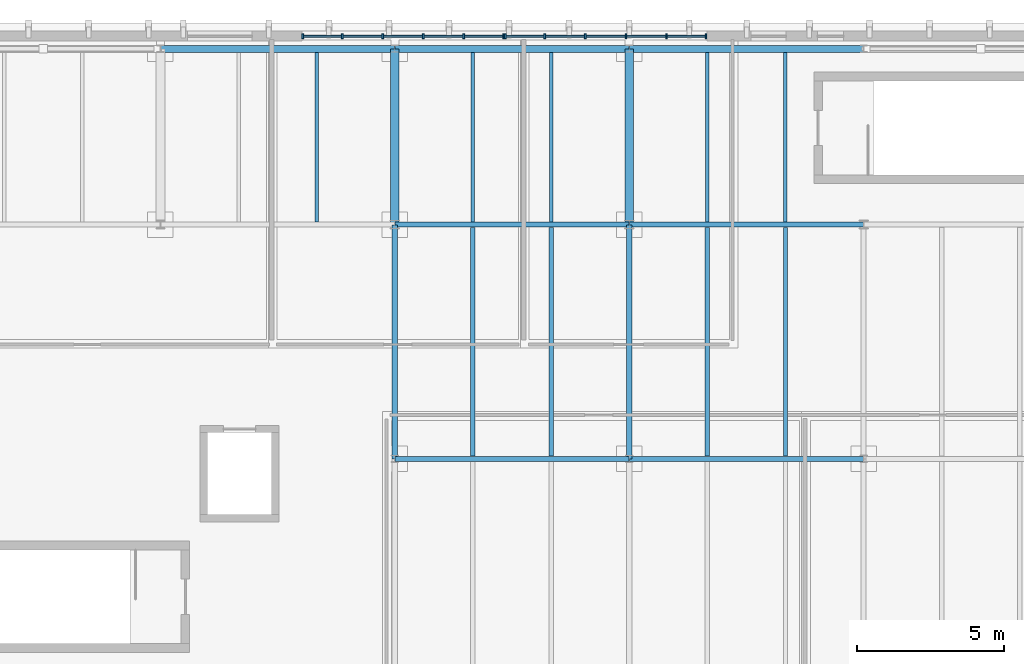
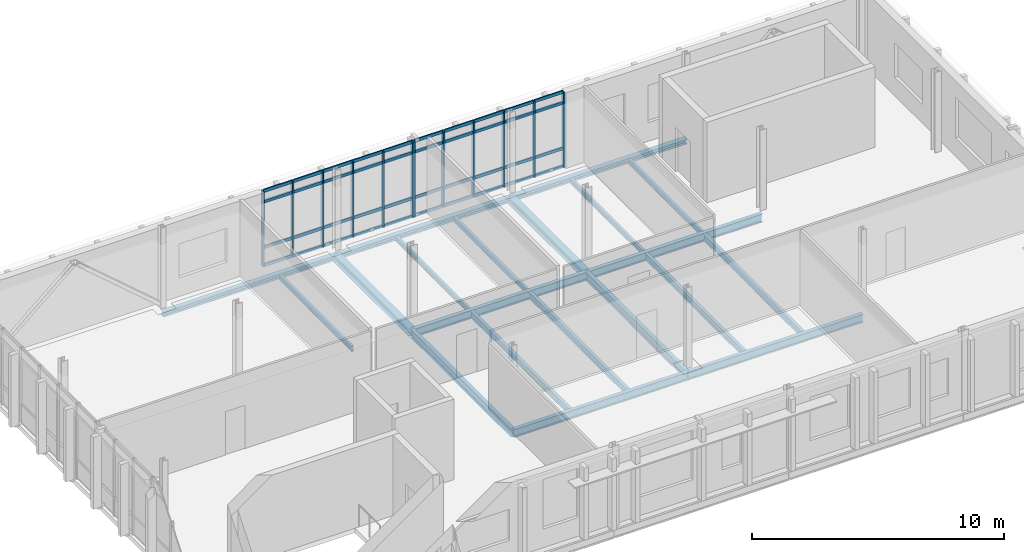
# One storey, part 15 of 40: 52 members, 20 beams, 2 elements without a shape of their own.
"""IFC4 building model written with IfcOpenShell, lengths in metres."""

from ifc_helpers import new_model, si_unit, direction, frame, origin, origin_2d, place, context, subcontext, project, spatial, rectangle, i_section, extrude, material, material_profile, profile_set, type_object, element, aggregate, save


model = new_model("IFC4")

# Units and contexts
model_context = context("Model", 3, precision=1e-05, world=origin(), true_north=direction((0.0, 1.0)))
body_context = subcontext(model_context, "Body", "Model", "MODEL_VIEW")
ifc_project = project(units=[si_unit("LENGTHUNIT", "METRE"), si_unit("AREAUNIT", "SQUARE_METRE"), si_unit("VOLUMEUNIT", "CUBIC_METRE"), si_unit("PLANEANGLEUNIT", "RADIAN"), si_unit("MASSUNIT", "GRAM", prefix="KILO")], contexts=[model_context])

# Site, building, storey
site_placement = place(None, origin())
site = spatial("IfcSite", under=ifc_project, at=site_placement, CompositionType="ELEMENT")
building_placement = place(site_placement, origin())
building = spatial("IfcBuilding", under=site, at=building_placement, Name="Cymarion Research Institute", CompositionType="ELEMENT")
storey_placement = place(building_placement, frame((0.0, 0.0, 26.699951171875)))
storey = spatial("IfcBuildingStorey", under=building, at=storey_placement, Name="L06", CompositionType="ELEMENT", Elevation=26.699951171875)

# Curtain wall, members
ifc_material_1 = material(Name="Anodised aluminium unitised curtain wall with Low-E glazing", Category="aluminium")
curtain_wall_type = type_object("IfcCurtainWallType", Name="UNITISED CURTAIN WALL CW64 6910X3660", PredefinedType="NOTDEFINED", material=ifc_material_1)
curtain_wall_1_placement = place(storey_placement, origin())
curtain_wall_1 = element("IfcCurtainWall", 1, at=curtain_wall_1_placement, inside=storey, type_object=curtain_wall_type, Name="L06 V5 unitised curtain wall CW64 #225", PredefinedType="NOTDEFINED")
ifc_material_2 = material(Name="Anodised aluminium framing", Category="aluminium")
ifc_material_profile_1 = material_profile(ifc_material_2, rectangle(XDim=0.06005859375, YDim=0.179931640625, at=origin_2d()), Name="ALU MULLION 60x180")
ifc_profile_set_1 = profile_set([ifc_material_profile_1], Name="Anodised aluminium framing")
member_type_1 = type_object("IfcMemberType", Name="CURTAIN WALL MULLION ML01 60X180", PredefinedType="MULLION", material=ifc_profile_set_1)
member_1_placement = place(storey_placement, frame((33.221923828125, 115.929931640625, 0.0), z_axis=(0.0, 0.0, 1.0), x_axis=(-1.0, 0.0, 0.0)))
member_1 = element("IfcMember", 2, at=member_1_placement, type_object=member_type_1, Name="CW64 mullion 1", PredefinedType="MULLION", context=body_context, shape_type="SweptSolid", body=[
    extrude(rectangle(XDim=0.06005859375, YDim=0.179931640625, at=origin_2d()), origin(), (0.0, 0.0, 1.0), 3.66015625),
])
member_2_placement = place(storey_placement, frame((31.869384765625, 115.929931640625, 0.0), z_axis=(0.0, 0.0, 1.0), x_axis=(-1.0, 0.0, 0.0)))
member_2 = element("IfcMember", 3, at=member_2_placement, type_object=member_type_1, Name="CW64 mullion 2", PredefinedType="MULLION", context=body_context, shape_type="SweptSolid", body=[
    extrude(rectangle(XDim=0.06005859375, YDim=0.179931640625, at=origin_2d()), origin(), (0.0, 0.0, 1.0), 3.66015625),
])
member_3_placement = place(storey_placement, frame((30.48681640625, 115.929931640625, 0.0), z_axis=(0.0, 0.0, 1.0), x_axis=(-1.0, 0.0, 0.0)))
member_3 = element("IfcMember", 4, at=member_3_placement, type_object=member_type_1, Name="CW64 mullion 3", PredefinedType="MULLION", context=body_context, shape_type="SweptSolid", body=[
    extrude(rectangle(XDim=0.06005859375, YDim=0.179931640625, at=origin_2d()), origin(), (0.0, 0.0, 1.0), 3.66015625),
])
member_4_placement = place(storey_placement, frame((29.104248046875, 115.929931640625, 0.0), z_axis=(0.0, 0.0, 1.0), x_axis=(-1.0, 0.0, 0.0)))
member_4 = element("IfcMember", 5, at=member_4_placement, type_object=member_type_1, Name="CW64 mullion 4", PredefinedType="MULLION", context=body_context, shape_type="SweptSolid", body=[
    extrude(rectangle(XDim=0.06005859375, YDim=0.179931640625, at=origin_2d()), origin(), (0.0, 0.0, 1.0), 3.66015625),
])
member_5_placement = place(storey_placement, frame((27.7216796875, 115.929931640625, 0.0), z_axis=(0.0, 0.0, 1.0), x_axis=(-1.0, 0.0, 0.0)))
member_5 = element("IfcMember", 6, at=member_5_placement, type_object=member_type_1, Name="CW64 mullion 5", PredefinedType="MULLION", context=body_context, shape_type="SweptSolid", body=[
    extrude(rectangle(XDim=0.06005859375, YDim=0.179931640625, at=origin_2d()), origin(), (0.0, 0.0, 1.0), 3.66015625),
])
member_6_placement = place(storey_placement, frame((26.368896484375, 115.929931640625, 0.0), z_axis=(0.0, 0.0, 1.0), x_axis=(-1.0, 0.0, 0.0)))
member_6 = element("IfcMember", 7, at=member_6_placement, type_object=member_type_1, Name="CW64 mullion 6", PredefinedType="MULLION", context=body_context, shape_type="SweptSolid", body=[
    extrude(rectangle(XDim=0.06005859375, YDim=0.179931640625, at=origin_2d()), origin(), (0.0, 0.0, 1.0), 3.66015625),
])

curtain_wall_2_placement = place(storey_placement, origin())
curtain_wall_2 = element("IfcCurtainWall", 8, at=curtain_wall_2_placement, inside=storey, type_object=curtain_wall_type, Name="L06 V5 unitised curtain wall CW64 #226", PredefinedType="NOTDEFINED")
member_7_placement = place(storey_placement, frame((26.30908203125, 115.929931640625, 0.0), z_axis=(0.0, 0.0, 1.0), x_axis=(-1.0, 0.0, 0.0)))
member_7 = element("IfcMember", 9, at=member_7_placement, type_object=member_type_1, Name="CW64 mullion 1", PredefinedType="MULLION", context=body_context, shape_type="SweptSolid", body=[
    extrude(rectangle(XDim=0.06005859375, YDim=0.179931640625, at=origin_2d()), origin(), (0.0, 0.0, 1.0), 3.66015625),
])
member_8_placement = place(storey_placement, frame((24.956298828125, 115.929931640625, 0.0), z_axis=(0.0, 0.0, 1.0), x_axis=(-1.0, 0.0, 0.0)))
member_8 = element("IfcMember", 10, at=member_8_placement, type_object=member_type_1, Name="CW64 mullion 2", PredefinedType="MULLION", context=body_context, shape_type="SweptSolid", body=[
    extrude(rectangle(XDim=0.06005859375, YDim=0.179931640625, at=origin_2d()), origin(), (0.0, 0.0, 1.0), 3.66015625),
])
member_9_placement = place(storey_placement, frame((23.57373046875, 115.929931640625, 0.0), z_axis=(0.0, 0.0, 1.0), x_axis=(-1.0, 0.0, 0.0)))
member_9 = element("IfcMember", 11, at=member_9_placement, type_object=member_type_1, Name="CW64 mullion 3", PredefinedType="MULLION", context=body_context, shape_type="SweptSolid", body=[
    extrude(rectangle(XDim=0.06005859375, YDim=0.179931640625, at=origin_2d()), origin(), (0.0, 0.0, 1.0), 3.66015625),
])
member_10_placement = place(storey_placement, frame((22.191162109375, 115.929931640625, 0.0), z_axis=(0.0, 0.0, 1.0), x_axis=(-1.0, 0.0, 0.0)))
member_10 = element("IfcMember", 12, at=member_10_placement, type_object=member_type_1, Name="CW64 mullion 4", PredefinedType="MULLION", context=body_context, shape_type="SweptSolid", body=[
    extrude(rectangle(XDim=0.06005859375, YDim=0.179931640625, at=origin_2d()), origin(), (0.0, 0.0, 1.0), 3.66015625),
])
member_11_placement = place(storey_placement, frame((20.80859375, 115.929931640625, 0.0), z_axis=(0.0, 0.0, 1.0), x_axis=(-1.0, 0.0, 0.0)))
member_11 = element("IfcMember", 13, at=member_11_placement, type_object=member_type_1, Name="CW64 mullion 5", PredefinedType="MULLION", context=body_context, shape_type="SweptSolid", body=[
    extrude(rectangle(XDim=0.06005859375, YDim=0.179931640625, at=origin_2d()), origin(), (0.0, 0.0, 1.0), 3.66015625),
])
member_12_placement = place(storey_placement, frame((19.4560546875, 115.929931640625, 0.0), z_axis=(0.0, 0.0, 1.0), x_axis=(-1.0, 0.0, 0.0)))
member_12 = element("IfcMember", 14, at=member_12_placement, type_object=member_type_1, Name="CW64 mullion 6", PredefinedType="MULLION", context=body_context, shape_type="SweptSolid", body=[
    extrude(rectangle(XDim=0.06005859375, YDim=0.179931640625, at=origin_2d()), origin(), (0.0, 0.0, 1.0), 3.66015625),
])

# Member
ifc_material_profile_2 = material_profile(ifc_material_2, rectangle(XDim=0.06005859375, YDim=0.14990234375, at=origin_2d()), Name="ALU TRANSOM 60x150")
ifc_profile_set_2 = profile_set([ifc_material_profile_2], Name="Anodised aluminium framing")
member_type_2 = type_object("IfcMemberType", Name="CURTAIN WALL TRANSOM TR01 60X150", PredefinedType="USERDEFINED", material=ifc_profile_set_2)
member_13_placement = place(storey_placement, frame((33.19189453125, 115.929931640625, 0.030029296875), z_axis=(-1.0, 0.0, 0.0), x_axis=(0.0, -1.0, 0.0)))
member_13 = element("IfcMember", 15, at=member_13_placement, type_object=member_type_2, Name="CW64 transom 1.1", ObjectType="TRANSOM", PredefinedType="USERDEFINED", context=body_context, shape_type="SweptSolid", body=[
    extrude(rectangle(XDim=0.06005859375, YDim=0.14990234375, at=origin_2d()), origin(), (0.0, 0.0, 1.0), 1.29248046875),
])

member_14_placement = place(storey_placement, frame((33.19189453125, 115.929931640625, 0.900146484375), z_axis=(-1.0, 0.0, 0.0), x_axis=(0.0, -1.0, 0.0)))
member_14 = element("IfcMember", 16, at=member_14_placement, type_object=member_type_2, Name="CW64 transom 1.2", ObjectType="TRANSOM", PredefinedType="USERDEFINED", context=body_context, shape_type="SweptSolid", body=[
    extrude(rectangle(XDim=0.06005859375, YDim=0.14990234375, at=origin_2d()), origin(), (0.0, 0.0, 1.0), 1.29248046875),
])

member_15_placement = place(storey_placement, frame((33.19189453125, 115.929931640625, 3.110107421875), z_axis=(-1.0, 0.0, 0.0), x_axis=(0.0, -1.0, 0.0)))
member_15 = element("IfcMember", 17, at=member_15_placement, type_object=member_type_2, Name="CW64 transom 1.3", ObjectType="TRANSOM", PredefinedType="USERDEFINED", context=body_context, shape_type="SweptSolid", body=[
    extrude(rectangle(XDim=0.06005859375, YDim=0.14990234375, at=origin_2d()), origin(), (0.0, 0.0, 1.0), 1.29248046875),
])

member_16_placement = place(storey_placement, frame((33.19189453125, 115.929931640625, 3.630126953125), z_axis=(-1.0, 0.0, 0.0), x_axis=(0.0, -1.0, 0.0)))
member_16 = element("IfcMember", 18, at=member_16_placement, type_object=member_type_2, Name="CW64 transom 1.4", ObjectType="TRANSOM", PredefinedType="USERDEFINED", context=body_context, shape_type="SweptSolid", body=[
    extrude(rectangle(XDim=0.06005859375, YDim=0.14990234375, at=origin_2d()), origin(), (0.0, 0.0, 1.0), 1.29248046875),
])

member_17_placement = place(storey_placement, frame((31.83935546875, 115.929931640625, 0.030029296875), z_axis=(-1.0, 0.0, 0.0), x_axis=(0.0, -1.0, 0.0)))
member_17 = element("IfcMember", 19, at=member_17_placement, type_object=member_type_2, Name="CW64 transom 2.1", ObjectType="TRANSOM", PredefinedType="USERDEFINED", context=body_context, shape_type="SweptSolid", body=[
    extrude(rectangle(XDim=0.06005859375, YDim=0.14990234375, at=origin_2d()), origin(), (0.0, 0.0, 1.0), 1.322509765625),
])

member_18_placement = place(storey_placement, frame((31.83935546875, 115.929931640625, 0.900146484375), z_axis=(-1.0, 0.0, 0.0), x_axis=(0.0, -1.0, 0.0)))
member_18 = element("IfcMember", 20, at=member_18_placement, type_object=member_type_2, Name="CW64 transom 2.2", ObjectType="TRANSOM", PredefinedType="USERDEFINED", context=body_context, shape_type="SweptSolid", body=[
    extrude(rectangle(XDim=0.06005859375, YDim=0.14990234375, at=origin_2d()), origin(), (0.0, 0.0, 1.0), 1.322509765625),
])

member_19_placement = place(storey_placement, frame((31.83935546875, 115.929931640625, 3.110107421875), z_axis=(-1.0, 0.0, 0.0), x_axis=(0.0, -1.0, 0.0)))
member_19 = element("IfcMember", 21, at=member_19_placement, type_object=member_type_2, Name="CW64 transom 2.3", ObjectType="TRANSOM", PredefinedType="USERDEFINED", context=body_context, shape_type="SweptSolid", body=[
    extrude(rectangle(XDim=0.06005859375, YDim=0.14990234375, at=origin_2d()), origin(), (0.0, 0.0, 1.0), 1.322509765625),
])

member_20_placement = place(storey_placement, frame((31.83935546875, 115.929931640625, 3.630126953125), z_axis=(-1.0, 0.0, 0.0), x_axis=(0.0, -1.0, 0.0)))
member_20 = element("IfcMember", 22, at=member_20_placement, type_object=member_type_2, Name="CW64 transom 2.4", ObjectType="TRANSOM", PredefinedType="USERDEFINED", context=body_context, shape_type="SweptSolid", body=[
    extrude(rectangle(XDim=0.06005859375, YDim=0.14990234375, at=origin_2d()), origin(), (0.0, 0.0, 1.0), 1.322509765625),
])

member_21_placement = place(storey_placement, frame((30.456787109375, 115.929931640625, 0.030029296875), z_axis=(-1.0, 0.0, 0.0), x_axis=(0.0, -1.0, 0.0)))
member_21 = element("IfcMember", 23, at=member_21_placement, type_object=member_type_2, Name="CW64 transom 3.1", ObjectType="TRANSOM", PredefinedType="USERDEFINED", context=body_context, shape_type="SweptSolid", body=[
    extrude(rectangle(XDim=0.06005859375, YDim=0.14990234375, at=origin_2d()), origin(), (0.0, 0.0, 1.0), 1.322509765625),
])

member_22_placement = place(storey_placement, frame((30.456787109375, 115.929931640625, 0.900146484375), z_axis=(-1.0, 0.0, 0.0), x_axis=(0.0, -1.0, 0.0)))
member_22 = element("IfcMember", 24, at=member_22_placement, type_object=member_type_2, Name="CW64 transom 3.2", ObjectType="TRANSOM", PredefinedType="USERDEFINED", context=body_context, shape_type="SweptSolid", body=[
    extrude(rectangle(XDim=0.06005859375, YDim=0.14990234375, at=origin_2d()), origin(), (0.0, 0.0, 1.0), 1.322509765625),
])

member_23_placement = place(storey_placement, frame((30.456787109375, 115.929931640625, 3.110107421875), z_axis=(-1.0, 0.0, 0.0), x_axis=(0.0, -1.0, 0.0)))
member_23 = element("IfcMember", 25, at=member_23_placement, type_object=member_type_2, Name="CW64 transom 3.3", ObjectType="TRANSOM", PredefinedType="USERDEFINED", context=body_context, shape_type="SweptSolid", body=[
    extrude(rectangle(XDim=0.06005859375, YDim=0.14990234375, at=origin_2d()), origin(), (0.0, 0.0, 1.0), 1.322509765625),
])

member_24_placement = place(storey_placement, frame((30.456787109375, 115.929931640625, 3.630126953125), z_axis=(-1.0, 0.0, 0.0), x_axis=(0.0, -1.0, 0.0)))
member_24 = element("IfcMember", 26, at=member_24_placement, type_object=member_type_2, Name="CW64 transom 3.4", ObjectType="TRANSOM", PredefinedType="USERDEFINED", context=body_context, shape_type="SweptSolid", body=[
    extrude(rectangle(XDim=0.06005859375, YDim=0.14990234375, at=origin_2d()), origin(), (0.0, 0.0, 1.0), 1.322509765625),
])

member_25_placement = place(storey_placement, frame((29.07421875, 115.929931640625, 0.030029296875), z_axis=(-1.0, 0.0, 0.0), x_axis=(0.0, -1.0, 0.0)))
member_25 = element("IfcMember", 27, at=member_25_placement, type_object=member_type_2, Name="CW64 transom 4.1", ObjectType="TRANSOM", PredefinedType="USERDEFINED", context=body_context, shape_type="SweptSolid", body=[
    extrude(rectangle(XDim=0.06005859375, YDim=0.14990234375, at=origin_2d()), origin(), (0.0, 0.0, 1.0), 1.322509765625),
])

member_26_placement = place(storey_placement, frame((29.07421875, 115.929931640625, 0.900146484375), z_axis=(-1.0, 0.0, 0.0), x_axis=(0.0, -1.0, 0.0)))
member_26 = element("IfcMember", 28, at=member_26_placement, type_object=member_type_2, Name="CW64 transom 4.2", ObjectType="TRANSOM", PredefinedType="USERDEFINED", context=body_context, shape_type="SweptSolid", body=[
    extrude(rectangle(XDim=0.06005859375, YDim=0.14990234375, at=origin_2d()), origin(), (0.0, 0.0, 1.0), 1.322509765625),
])

member_27_placement = place(storey_placement, frame((29.07421875, 115.929931640625, 3.110107421875), z_axis=(-1.0, 0.0, 0.0), x_axis=(0.0, -1.0, 0.0)))
member_27 = element("IfcMember", 29, at=member_27_placement, type_object=member_type_2, Name="CW64 transom 4.3", ObjectType="TRANSOM", PredefinedType="USERDEFINED", context=body_context, shape_type="SweptSolid", body=[
    extrude(rectangle(XDim=0.06005859375, YDim=0.14990234375, at=origin_2d()), origin(), (0.0, 0.0, 1.0), 1.322509765625),
])

member_28_placement = place(storey_placement, frame((29.07421875, 115.929931640625, 3.630126953125), z_axis=(-1.0, 0.0, 0.0), x_axis=(0.0, -1.0, 0.0)))
member_28 = element("IfcMember", 30, at=member_28_placement, type_object=member_type_2, Name="CW64 transom 4.4", ObjectType="TRANSOM", PredefinedType="USERDEFINED", context=body_context, shape_type="SweptSolid", body=[
    extrude(rectangle(XDim=0.06005859375, YDim=0.14990234375, at=origin_2d()), origin(), (0.0, 0.0, 1.0), 1.322509765625),
])

member_29_placement = place(storey_placement, frame((27.691650390625, 115.929931640625, 0.030029296875), z_axis=(-1.0, 0.0, 0.0), x_axis=(0.0, -1.0, 0.0)))
member_29 = element("IfcMember", 31, at=member_29_placement, type_object=member_type_2, Name="CW64 transom 5.1", ObjectType="TRANSOM", PredefinedType="USERDEFINED", context=body_context, shape_type="SweptSolid", body=[
    extrude(rectangle(XDim=0.06005859375, YDim=0.14990234375, at=origin_2d()), origin(), (0.0, 0.0, 1.0), 1.292724609375),
])

member_30_placement = place(storey_placement, frame((27.691650390625, 115.929931640625, 0.900146484375), z_axis=(-1.0, 0.0, 0.0), x_axis=(0.0, -1.0, 0.0)))
member_30 = element("IfcMember", 32, at=member_30_placement, type_object=member_type_2, Name="CW64 transom 5.2", ObjectType="TRANSOM", PredefinedType="USERDEFINED", context=body_context, shape_type="SweptSolid", body=[
    extrude(rectangle(XDim=0.06005859375, YDim=0.14990234375, at=origin_2d()), origin(), (0.0, 0.0, 1.0), 1.292724609375),
])

member_31_placement = place(storey_placement, frame((27.691650390625, 115.929931640625, 3.110107421875), z_axis=(-1.0, 0.0, 0.0), x_axis=(0.0, -1.0, 0.0)))
member_31 = element("IfcMember", 33, at=member_31_placement, type_object=member_type_2, Name="CW64 transom 5.3", ObjectType="TRANSOM", PredefinedType="USERDEFINED", context=body_context, shape_type="SweptSolid", body=[
    extrude(rectangle(XDim=0.06005859375, YDim=0.14990234375, at=origin_2d()), origin(), (0.0, 0.0, 1.0), 1.292724609375),
])

member_32_placement = place(storey_placement, frame((27.691650390625, 115.929931640625, 3.630126953125), z_axis=(-1.0, 0.0, 0.0), x_axis=(0.0, -1.0, 0.0)))
member_32 = element("IfcMember", 34, at=member_32_placement, type_object=member_type_2, Name="CW64 transom 5.4", ObjectType="TRANSOM", PredefinedType="USERDEFINED", context=body_context, shape_type="SweptSolid", body=[
    extrude(rectangle(XDim=0.06005859375, YDim=0.14990234375, at=origin_2d()), origin(), (0.0, 0.0, 1.0), 1.292724609375),
])

aggregate(curtain_wall_1, [member_1, member_2, member_3, member_4, member_5, member_6, member_13, member_14, member_15, member_16, member_17, member_18, member_19, member_20, member_21, member_22, member_23, member_24, member_25, member_26, member_27, member_28, member_29, member_30, member_31, member_32])

member_33_placement = place(storey_placement, frame((26.279052734375, 115.929931640625, 0.030029296875), z_axis=(-1.0, 0.0, 0.0), x_axis=(0.0, -1.0, 0.0)))
member_33 = element("IfcMember", 35, at=member_33_placement, type_object=member_type_2, Name="CW64 transom 1.1", ObjectType="TRANSOM", PredefinedType="USERDEFINED", context=body_context, shape_type="SweptSolid", body=[
    extrude(rectangle(XDim=0.06005859375, YDim=0.14990234375, at=origin_2d()), origin(), (0.0, 0.0, 1.0), 1.292724609375),
])

member_34_placement = place(storey_placement, frame((26.279052734375, 115.929931640625, 0.900146484375), z_axis=(-1.0, 0.0, 0.0), x_axis=(0.0, -1.0, 0.0)))
member_34 = element("IfcMember", 36, at=member_34_placement, type_object=member_type_2, Name="CW64 transom 1.2", ObjectType="TRANSOM", PredefinedType="USERDEFINED", context=body_context, shape_type="SweptSolid", body=[
    extrude(rectangle(XDim=0.06005859375, YDim=0.14990234375, at=origin_2d()), origin(), (0.0, 0.0, 1.0), 1.292724609375),
])

member_35_placement = place(storey_placement, frame((26.279052734375, 115.929931640625, 3.110107421875), z_axis=(-1.0, 0.0, 0.0), x_axis=(0.0, -1.0, 0.0)))
member_35 = element("IfcMember", 37, at=member_35_placement, type_object=member_type_2, Name="CW64 transom 1.3", ObjectType="TRANSOM", PredefinedType="USERDEFINED", context=body_context, shape_type="SweptSolid", body=[
    extrude(rectangle(XDim=0.06005859375, YDim=0.14990234375, at=origin_2d()), origin(), (0.0, 0.0, 1.0), 1.292724609375),
])

member_36_placement = place(storey_placement, frame((26.279052734375, 115.929931640625, 3.630126953125), z_axis=(-1.0, 0.0, 0.0), x_axis=(0.0, -1.0, 0.0)))
member_36 = element("IfcMember", 38, at=member_36_placement, type_object=member_type_2, Name="CW64 transom 1.4", ObjectType="TRANSOM", PredefinedType="USERDEFINED", context=body_context, shape_type="SweptSolid", body=[
    extrude(rectangle(XDim=0.06005859375, YDim=0.14990234375, at=origin_2d()), origin(), (0.0, 0.0, 1.0), 1.292724609375),
])

member_37_placement = place(storey_placement, frame((24.926513671875, 115.929931640625, 0.030029296875), z_axis=(-1.0, 0.0, 0.0), x_axis=(0.0, -1.0, 0.0)))
member_37 = element("IfcMember", 39, at=member_37_placement, type_object=member_type_2, Name="CW64 transom 2.1", ObjectType="TRANSOM", PredefinedType="USERDEFINED", context=body_context, shape_type="SweptSolid", body=[
    extrude(rectangle(XDim=0.06005859375, YDim=0.14990234375, at=origin_2d()), origin(), (0.0, 0.0, 1.0), 1.32275390625),
])

member_38_placement = place(storey_placement, frame((24.926513671875, 115.929931640625, 0.900146484375), z_axis=(-1.0, 0.0, 0.0), x_axis=(0.0, -1.0, 0.0)))
member_38 = element("IfcMember", 40, at=member_38_placement, type_object=member_type_2, Name="CW64 transom 2.2", ObjectType="TRANSOM", PredefinedType="USERDEFINED", context=body_context, shape_type="SweptSolid", body=[
    extrude(rectangle(XDim=0.06005859375, YDim=0.14990234375, at=origin_2d()), origin(), (0.0, 0.0, 1.0), 1.32275390625),
])

member_39_placement = place(storey_placement, frame((24.926513671875, 115.929931640625, 3.110107421875), z_axis=(-1.0, 0.0, 0.0), x_axis=(0.0, -1.0, 0.0)))
member_39 = element("IfcMember", 41, at=member_39_placement, type_object=member_type_2, Name="CW64 transom 2.3", ObjectType="TRANSOM", PredefinedType="USERDEFINED", context=body_context, shape_type="SweptSolid", body=[
    extrude(rectangle(XDim=0.06005859375, YDim=0.14990234375, at=origin_2d()), origin(), (0.0, 0.0, 1.0), 1.32275390625),
])

member_40_placement = place(storey_placement, frame((24.926513671875, 115.929931640625, 3.630126953125), z_axis=(-1.0, 0.0, 0.0), x_axis=(0.0, -1.0, 0.0)))
member_40 = element("IfcMember", 42, at=member_40_placement, type_object=member_type_2, Name="CW64 transom 2.4", ObjectType="TRANSOM", PredefinedType="USERDEFINED", context=body_context, shape_type="SweptSolid", body=[
    extrude(rectangle(XDim=0.06005859375, YDim=0.14990234375, at=origin_2d()), origin(), (0.0, 0.0, 1.0), 1.32275390625),
])

member_41_placement = place(storey_placement, frame((23.543701171875, 115.929931640625, 0.030029296875), z_axis=(-1.0, 0.0, 0.0), x_axis=(0.0, -1.0, 0.0)))
member_41 = element("IfcMember", 43, at=member_41_placement, type_object=member_type_2, Name="CW64 transom 3.1", ObjectType="TRANSOM", PredefinedType="USERDEFINED", context=body_context, shape_type="SweptSolid", body=[
    extrude(rectangle(XDim=0.06005859375, YDim=0.14990234375, at=origin_2d()), origin(), (0.0, 0.0, 1.0), 1.322509765625),
])

member_42_placement = place(storey_placement, frame((23.543701171875, 115.929931640625, 0.900146484375), z_axis=(-1.0, 0.0, 0.0), x_axis=(0.0, -1.0, 0.0)))
member_42 = element("IfcMember", 44, at=member_42_placement, type_object=member_type_2, Name="CW64 transom 3.2", ObjectType="TRANSOM", PredefinedType="USERDEFINED", context=body_context, shape_type="SweptSolid", body=[
    extrude(rectangle(XDim=0.06005859375, YDim=0.14990234375, at=origin_2d()), origin(), (0.0, 0.0, 1.0), 1.322509765625),
])

member_43_placement = place(storey_placement, frame((23.543701171875, 115.929931640625, 3.110107421875), z_axis=(-1.0, 0.0, 0.0), x_axis=(0.0, -1.0, 0.0)))
member_43 = element("IfcMember", 45, at=member_43_placement, type_object=member_type_2, Name="CW64 transom 3.3", ObjectType="TRANSOM", PredefinedType="USERDEFINED", context=body_context, shape_type="SweptSolid", body=[
    extrude(rectangle(XDim=0.06005859375, YDim=0.14990234375, at=origin_2d()), origin(), (0.0, 0.0, 1.0), 1.322509765625),
])

member_44_placement = place(storey_placement, frame((23.543701171875, 115.929931640625, 3.630126953125), z_axis=(-1.0, 0.0, 0.0), x_axis=(0.0, -1.0, 0.0)))
member_44 = element("IfcMember", 46, at=member_44_placement, type_object=member_type_2, Name="CW64 transom 3.4", ObjectType="TRANSOM", PredefinedType="USERDEFINED", context=body_context, shape_type="SweptSolid", body=[
    extrude(rectangle(XDim=0.06005859375, YDim=0.14990234375, at=origin_2d()), origin(), (0.0, 0.0, 1.0), 1.322509765625),
])

member_45_placement = place(storey_placement, frame((22.1611328125, 115.929931640625, 0.030029296875), z_axis=(-1.0, 0.0, 0.0), x_axis=(0.0, -1.0, 0.0)))
member_45 = element("IfcMember", 47, at=member_45_placement, type_object=member_type_2, Name="CW64 transom 4.1", ObjectType="TRANSOM", PredefinedType="USERDEFINED", context=body_context, shape_type="SweptSolid", body=[
    extrude(rectangle(XDim=0.06005859375, YDim=0.14990234375, at=origin_2d()), origin(), (0.0, 0.0, 1.0), 1.322509765625),
])

member_46_placement = place(storey_placement, frame((22.1611328125, 115.929931640625, 0.900146484375), z_axis=(-1.0, 0.0, 0.0), x_axis=(0.0, -1.0, 0.0)))
member_46 = element("IfcMember", 48, at=member_46_placement, type_object=member_type_2, Name="CW64 transom 4.2", ObjectType="TRANSOM", PredefinedType="USERDEFINED", context=body_context, shape_type="SweptSolid", body=[
    extrude(rectangle(XDim=0.06005859375, YDim=0.14990234375, at=origin_2d()), origin(), (0.0, 0.0, 1.0), 1.322509765625),
])

member_47_placement = place(storey_placement, frame((22.1611328125, 115.929931640625, 3.110107421875), z_axis=(-1.0, 0.0, 0.0), x_axis=(0.0, -1.0, 0.0)))
member_47 = element("IfcMember", 49, at=member_47_placement, type_object=member_type_2, Name="CW64 transom 4.3", ObjectType="TRANSOM", PredefinedType="USERDEFINED", context=body_context, shape_type="SweptSolid", body=[
    extrude(rectangle(XDim=0.06005859375, YDim=0.14990234375, at=origin_2d()), origin(), (0.0, 0.0, 1.0), 1.322509765625),
])

member_48_placement = place(storey_placement, frame((22.1611328125, 115.929931640625, 3.630126953125), z_axis=(-1.0, 0.0, 0.0), x_axis=(0.0, -1.0, 0.0)))
member_48 = element("IfcMember", 50, at=member_48_placement, type_object=member_type_2, Name="CW64 transom 4.4", ObjectType="TRANSOM", PredefinedType="USERDEFINED", context=body_context, shape_type="SweptSolid", body=[
    extrude(rectangle(XDim=0.06005859375, YDim=0.14990234375, at=origin_2d()), origin(), (0.0, 0.0, 1.0), 1.322509765625),
])

member_49_placement = place(storey_placement, frame((20.778564453125, 115.929931640625, 0.030029296875), z_axis=(-1.0, 0.0, 0.0), x_axis=(0.0, -1.0, 0.0)))
member_49 = element("IfcMember", 51, at=member_49_placement, type_object=member_type_2, Name="CW64 transom 5.1", ObjectType="TRANSOM", PredefinedType="USERDEFINED", context=body_context, shape_type="SweptSolid", body=[
    extrude(rectangle(XDim=0.06005859375, YDim=0.14990234375, at=origin_2d()), origin(), (0.0, 0.0, 1.0), 1.29248046875),
])

member_50_placement = place(storey_placement, frame((20.778564453125, 115.929931640625, 0.900146484375), z_axis=(-1.0, 0.0, 0.0), x_axis=(0.0, -1.0, 0.0)))
member_50 = element("IfcMember", 52, at=member_50_placement, type_object=member_type_2, Name="CW64 transom 5.2", ObjectType="TRANSOM", PredefinedType="USERDEFINED", context=body_context, shape_type="SweptSolid", body=[
    extrude(rectangle(XDim=0.06005859375, YDim=0.14990234375, at=origin_2d()), origin(), (0.0, 0.0, 1.0), 1.29248046875),
])

member_51_placement = place(storey_placement, frame((20.778564453125, 115.929931640625, 3.110107421875), z_axis=(-1.0, 0.0, 0.0), x_axis=(0.0, -1.0, 0.0)))
member_51 = element("IfcMember", 53, at=member_51_placement, type_object=member_type_2, Name="CW64 transom 5.3", ObjectType="TRANSOM", PredefinedType="USERDEFINED", context=body_context, shape_type="SweptSolid", body=[
    extrude(rectangle(XDim=0.06005859375, YDim=0.14990234375, at=origin_2d()), origin(), (0.0, 0.0, 1.0), 1.29248046875),
])

member_52_placement = place(storey_placement, frame((20.778564453125, 115.929931640625, 3.630126953125), z_axis=(-1.0, 0.0, 0.0), x_axis=(0.0, -1.0, 0.0)))
member_52 = element("IfcMember", 54, at=member_52_placement, type_object=member_type_2, Name="CW64 transom 5.4", ObjectType="TRANSOM", PredefinedType="USERDEFINED", context=body_context, shape_type="SweptSolid", body=[
    extrude(rectangle(XDim=0.06005859375, YDim=0.14990234375, at=origin_2d()), origin(), (0.0, 0.0, 1.0), 1.29248046875),
])

aggregate(curtain_wall_2, [member_7, member_8, member_9, member_10, member_11, member_12, member_33, member_34, member_35, member_36, member_37, member_38, member_39, member_40, member_41, member_42, member_43, member_44, member_45, member_46, member_47, member_48, member_49, member_50, member_51, member_52])

# Beams
ifc_material_3 = material(Name="Steel S355", Category="steel")
ifc_material_profile_3 = material_profile(ifc_material_3, i_section(OverallWidth=0.179931640625, OverallDepth=0.39990234375, WebThickness=0.008544921875, FlangeThickness=0.013427734375, FilletRadius=0.02099609375, at=origin_2d()), Name="IPE 400")
ifc_profile_set_3 = profile_set([ifc_material_profile_3], Name="Steel S355")
beam_type_1 = type_object("IfcBeamType", Name="PRIMARY GIRDER BM05 IPE 400", PredefinedType="BEAM", material=ifc_profile_set_3)
for number, where, z_axis, x_axis, name in (
    (55, (22.60595703125, 101.5, -0.419921875), (1.0, 0.0, 0.0), (0.0, 1.0, 0.0), "L06 V5 girder BM05 #2141"),
    (56, (30.60595703125, 101.5, -0.419921875), (1.0, 0.0, 0.0), (0.0, 1.0, 0.0), "L06 V5 girder BM05 #2142"),
    (57, (22.60595703125, 109.5, -0.419921875), (1.0, 0.0, 0.0), (0.0, 1.0, 0.0), "L06 V5 girder BM05 #2146"),
    (58, (30.60595703125, 109.5, -0.419921875), (1.0, 0.0, 0.0), (0.0, 1.0, 0.0), "L06 V5 girder BM05 #2147"),
):
    element("IfcBeam", number, at=place(storey_placement, frame(where, z_axis=z_axis, x_axis=x_axis)), inside=storey, type_object=beam_type_1, Name=name, PredefinedType="BEAM", context=body_context, shape_type="SweptSolid", body=[
        extrude(i_section(OverallWidth=0.179931640625, OverallDepth=0.39990234375, WebThickness=0.008544921875, FlangeThickness=0.013427734375, FilletRadius=0.02099609375, at=origin_2d()), origin(), (0.0, 0.0, 1.0), 7.988037109375),
    ])
for number, where, z_axis, x_axis, name in (
    (59, (22.60009765625, 101.506103515625, -0.419921875), (0.0, 1.0, 0.0), (-1.0, 0.0, 0.0), "L06 V5 girder BM05 #2159"),
    (60, (30.60009765625, 101.506103515625, -0.419921875), (0.0, 1.0, 0.0), (-1.0, 0.0, 0.0), "L06 V5 girder BM05 #2162"),
):
    element("IfcBeam", number, at=place(storey_placement, frame(where, z_axis=z_axis, x_axis=x_axis)), inside=storey, type_object=beam_type_1, Name=name, PredefinedType="BEAM", context=body_context, shape_type="SweptSolid", body=[
        extrude(i_section(OverallWidth=0.179931640625, OverallDepth=0.39990234375, WebThickness=0.008544921875, FlangeThickness=0.013427734375, FilletRadius=0.02099609375, at=origin_2d()), origin(), (0.0, 0.0, 1.0), 7.98779296875),
    ])
ifc_material_profile_4 = material_profile(ifc_material_3, i_section(OverallWidth=0.300048828125, OverallDepth=0.35009765625, WebThickness=0.010009765625, FlangeThickness=0.017578125, FilletRadius=0.027099609375, at=origin_2d()), Name="HEA 360")
ifc_profile_set_4 = profile_set([ifc_material_profile_4], Name="Steel S355")
beam_type_2 = type_object("IfcBeamType", Name="PRIMARY GIRDER BM12 HEA 360", PredefinedType="BEAM", material=ifc_profile_set_4)
for number, where, z_axis, x_axis, name in (
    (61, (22.60009765625, 109.506103515625, -0.39501953125), (0.0, 1.0, 0.0), (-1.0, 0.0, 0.0), "L06 V5 girder BM12 #2160"),
    (62, (30.60009765625, 109.506103515625, -0.39501953125), (0.0, 1.0, 0.0), (-1.0, 0.0, 0.0), "L06 V5 girder BM12 #2163"),
):
    element("IfcBeam", number, at=place(storey_placement, frame(where, z_axis=z_axis, x_axis=x_axis)), inside=storey, type_object=beam_type_2, Name=name, PredefinedType="BEAM", context=body_context, shape_type="SweptSolid", body=[
        extrude(i_section(OverallWidth=0.300048828125, OverallDepth=0.35009765625, WebThickness=0.010009765625, FlangeThickness=0.017578125, FilletRadius=0.027099609375, at=origin_2d()), origin(), (0.0, 0.0, 1.0), 5.98779296875),
    ])
ifc_material_profile_5 = material_profile(ifc_material_3, i_section(OverallWidth=0.14990234375, OverallDepth=0.300048828125, WebThickness=0.007080078125, FlangeThickness=0.0107421875, FilletRadius=0.014892578125, at=origin_2d()), Name="IPE 300")
ifc_profile_set_5 = profile_set([ifc_material_profile_5], Name="Steel S355")
beam_type_3 = type_object("IfcBeamType", Name="SECONDARY JOIST JS02 IPE 300", PredefinedType="JOIST", material=ifc_profile_set_5)
for number, where, z_axis, x_axis, name in (
    (63, (25.2666015625, 101.593994140625, -0.369873046875), (0.0, 1.0, 0.0), (-1.0, 0.0, 0.0), "L06 V5 secondary joist JS02 #2175"),
    (64, (27.933349609375, 101.593994140625, -0.369873046875), (0.0, 1.0, 0.0), (-1.0, 0.0, 0.0), "L06 V5 secondary joist JS02 #2176"),
    (65, (33.2666015625, 101.593994140625, -0.369873046875), (0.0, 1.0, 0.0), (-1.0, 0.0, 0.0), "L06 V5 secondary joist JS02 #2177"),
    (66, (35.933349609375, 101.593994140625, -0.369873046875), (0.0, 1.0, 0.0), (-1.0, 0.0, 0.0), "L06 V5 secondary joist JS02 #2178"),
):
    element("IfcBeam", number, at=place(storey_placement, frame(where, z_axis=z_axis, x_axis=x_axis)), inside=storey, type_object=beam_type_3, Name=name, PredefinedType="JOIST", context=body_context, shape_type="SweptSolid", body=[
        extrude(i_section(OverallWidth=0.14990234375, OverallDepth=0.300048828125, WebThickness=0.007080078125, FlangeThickness=0.0107421875, FilletRadius=0.014892578125, at=origin_2d()), origin(), (0.0, 0.0, 1.0), 7.81201171875),
    ])
ifc_material_profile_6 = material_profile(ifc_material_3, i_section(OverallWidth=0.1201171875, OverallDepth=0.239990234375, WebThickness=0.006103515625, FlangeThickness=0.009765625, FilletRadius=0.014892578125, at=origin_2d()), Name="IPE 240")
ifc_profile_set_6 = profile_set([ifc_material_profile_6], Name="Steel S355")
beam_type_4 = type_object("IfcBeamType", Name="SECONDARY JOIST JS04 IPE 240", PredefinedType="JOIST", material=ifc_profile_set_6)
for number, where, z_axis, x_axis, name in (
    (67, (19.933349609375, 109.593994140625, -0.33984375), (0.0, 1.0, 0.0), (-1.0, 0.0, 0.0), "L06 V5 secondary joist JS04 #2184"),
    (68, (25.2666015625, 109.593994140625, -0.33984375), (0.0, 1.0, 0.0), (-1.0, 0.0, 0.0), "L06 V5 secondary joist JS04 #2185"),
    (69, (27.933349609375, 109.593994140625, -0.33984375), (0.0, 1.0, 0.0), (-1.0, 0.0, 0.0), "L06 V5 secondary joist JS04 #2186"),
    (70, (33.2666015625, 109.593994140625, -0.33984375), (0.0, 1.0, 0.0), (-1.0, 0.0, 0.0), "L06 V5 secondary joist JS04 #2187"),
    (71, (35.933349609375, 109.593994140625, -0.33984375), (0.0, 1.0, 0.0), (-1.0, 0.0, 0.0), "L06 V5 secondary joist JS04 #2188"),
):
    element("IfcBeam", number, at=place(storey_placement, frame(where, z_axis=z_axis, x_axis=x_axis)), inside=storey, type_object=beam_type_4, Name=name, PredefinedType="JOIST", context=body_context, shape_type="SweptSolid", body=[
        extrude(i_section(OverallWidth=0.1201171875, OverallDepth=0.239990234375, WebThickness=0.006103515625, FlangeThickness=0.009765625, FilletRadius=0.014892578125, at=origin_2d()), origin(), (0.0, 0.0, 1.0), 5.781982421875),
    ])
ifc_material_profile_7 = material_profile(ifc_material_3, i_section(OverallWidth=0.239990234375, OverallDepth=0.22998046875, WebThickness=0.007568359375, FlangeThickness=0.011962890625, FilletRadius=0.02099609375, at=origin_2d()), Name="HEA 240")
ifc_profile_set_7 = profile_set([ifc_material_profile_7], Name="Steel S355")
beam_type_5 = type_object("IfcBeamType", Name="SPANDREL BEAM SPB03 HEA 240", PredefinedType="SPANDREL", material=ifc_profile_set_7)
for number, where, z_axis, x_axis, name in (
    (72, (14.60595703125, 115.5, -0.3349609375), (1.0, 0.0, 0.0), (0.0, 1.0, 0.0), "L06 V5 girder SPB03 #2150"),
    (73, (22.60595703125, 115.5, -0.3349609375), (1.0, 0.0, 0.0), (0.0, 1.0, 0.0), "L06 V5 girder SPB03 #2151"),
    (74, (30.60595703125, 115.5, -0.3349609375), (1.0, 0.0, 0.0), (0.0, 1.0, 0.0), "L06 V5 girder SPB03 #2152"),
):
    element("IfcBeam", number, at=place(storey_placement, frame(where, z_axis=z_axis, x_axis=x_axis)), inside=storey, type_object=beam_type_5, Name=name, PredefinedType="SPANDREL", context=body_context, shape_type="SweptSolid", body=[
        extrude(i_section(OverallWidth=0.239990234375, OverallDepth=0.22998046875, WebThickness=0.007568359375, FlangeThickness=0.011962890625, FilletRadius=0.02099609375, at=origin_2d()), origin(), (0.0, 0.0, 1.0), 7.988037109375),
    ])

save(model, "model.ifc")
